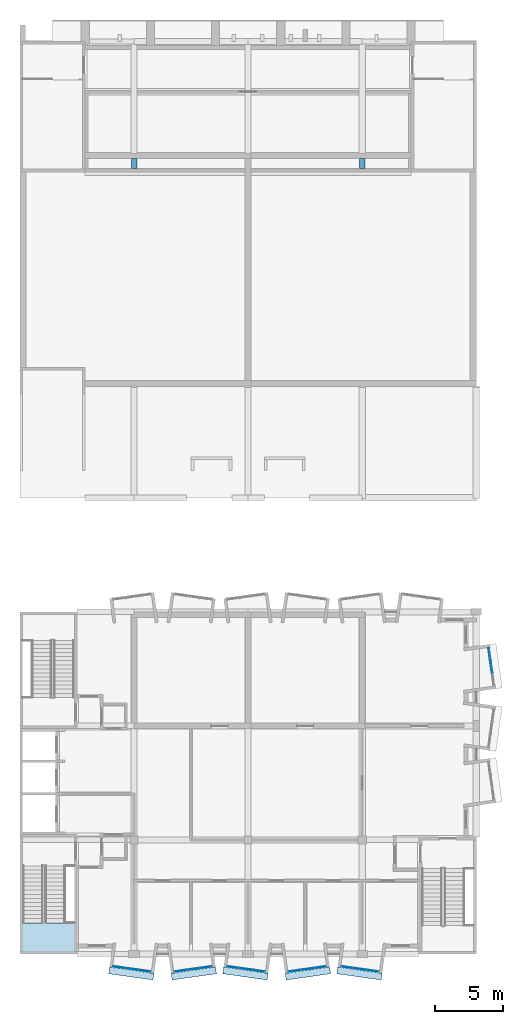
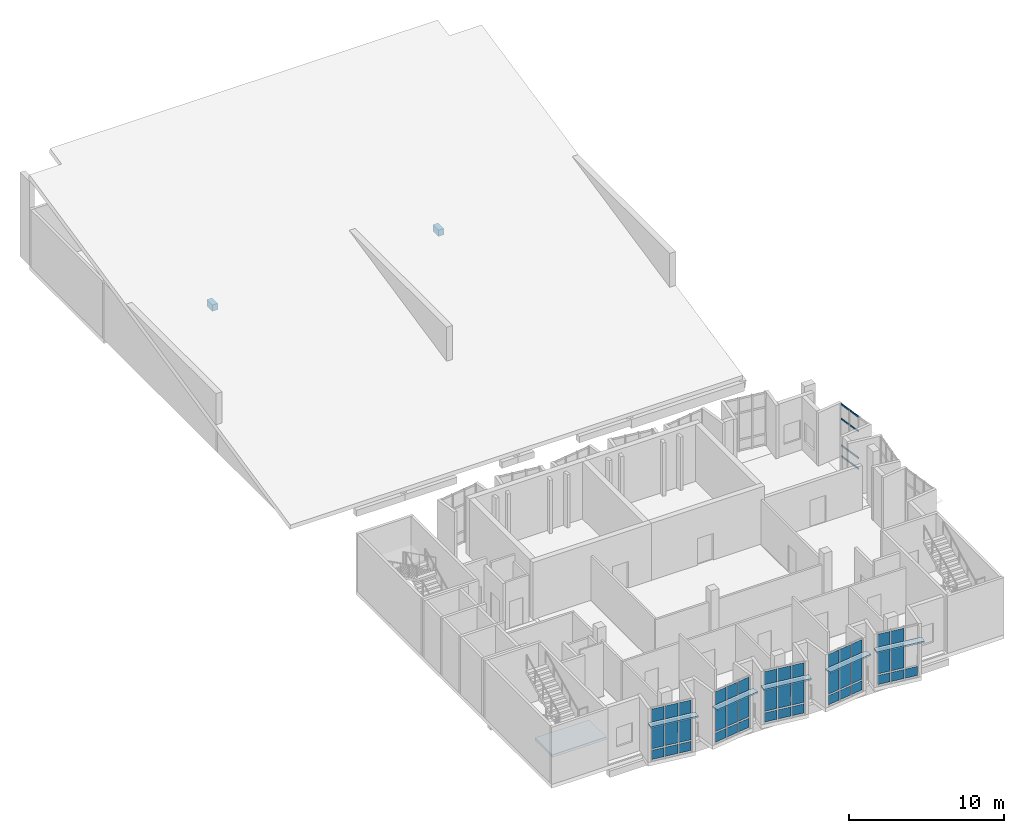
# One storey, part 8 of 19: 48 plates, 8 members, 2 beams, 1 slab, 7 elements without a shape of their own.
"""IFC4 building model written with IfcOpenShell, lengths in metres."""

from ifc_helpers import new_model, si_unit, direction, frame, origin, origin_2d, place, context, subcontext, project, spatial, polyline, rectangle, outline, extrude, material, layer, layer_set, material_profile, profile_set, type_object, element, aggregate, save


model = new_model("IFC4")

# Units and contexts
model_context = context("Model", 3, precision=1e-05, world=origin(), true_north=direction((0.0, 1.0)))
body_context = subcontext(model_context, "Body", "Model", "MODEL_VIEW")
ifc_project = project(units=[si_unit("LENGTHUNIT", "METRE"), si_unit("AREAUNIT", "SQUARE_METRE"), si_unit("VOLUMEUNIT", "CUBIC_METRE"), si_unit("PLANEANGLEUNIT", "RADIAN"), si_unit("MASSUNIT", "GRAM", prefix="KILO")], contexts=[model_context])

# Site, building, storey
site_placement = place(None, origin())
site = spatial("IfcSite", under=ifc_project, at=site_placement, CompositionType="ELEMENT")
building_placement = place(site_placement, origin())
building = spatial("IfcBuilding", under=site, at=building_placement, Name="Kiln Court Media Centre", CompositionType="ELEMENT")
storey_placement = place(building_placement, frame((0.0, 0.0, 29.10009765625)))
storey = spatial("IfcBuildingStorey", under=building, at=storey_placement, Name="L06", CompositionType="ELEMENT", Elevation=29.10009765625)

# Curtain wall, members
ifc_material_1 = material(Name="Aluminium 6063-T6", Category="aluminium")
ifc_layer_1 = layer(ifc_material_1, 0.1201171875)
ifc_layer_set_1 = layer_set([ifc_layer_1], Name="Aluminium unitised bay curtain wall")
curtain_wall_type = type_object("IfcCurtainWallType", Name="Aluminium unitised bay curtain wall", PredefinedType="USERDEFINED", material=ifc_layer_set_1)
curtain_wall_1_placement = place(storey_placement, origin())
curtain_wall_1 = element("IfcCurtainWall", 1, at=curtain_wall_1_placement, inside=storey, type_object=curtain_wall_type, Name="BAY V6A-E-L06-11 front", ObjectType="UNITISED CURTAIN WALL", PredefinedType="USERDEFINED")
ifc_material_2 = material(Name="Aluminium 6063-T6", Category="aluminium")
ifc_material_profile_1 = material_profile(ifc_material_2, rectangle(XDim=0.06005859375, YDim=0.1201171875, at=origin_2d()), Name="Aluminium transom 60x120")
ifc_profile_set_1 = profile_set([ifc_material_profile_1], Name="Aluminium 6063-T6")
member_type = type_object("IfcMemberType", Name="Aluminium transom 60x120", PredefinedType="USERDEFINED", material=ifc_profile_set_1)
member_1_placement = place(storey_placement, frame((34.771484375, 20.7119140625, 0.059814453125), z_axis=(-0.13913384707, 0.990273584723, 0.0), x_axis=(-0.990273584723, -0.13913384707, 0.0)))
member_1 = element("IfcMember", 2, at=member_1_placement, type_object=member_type, Name="CW6-03 transom 2.1", ObjectType="TRANSOM", PredefinedType="USERDEFINED", context=body_context, shape_type="SweptSolid", body=[
    extrude(rectangle(XDim=0.06005859375, YDim=0.1201171875, at=origin_2d()), origin(), (0.0, 0.0, 1.0), 0.896728515625),
])
member_2_placement = place(storey_placement, frame((34.771484375, 20.7119140625, 0.89990234375), z_axis=(-0.13913384707, 0.990273584723, 0.0), x_axis=(-0.990273584723, -0.13913384707, 0.0)))
member_2 = element("IfcMember", 3, at=member_2_placement, type_object=member_type, Name="CW6-03 transom 2.2", ObjectType="TRANSOM", PredefinedType="USERDEFINED", context=body_context, shape_type="SweptSolid", body=[
    extrude(rectangle(XDim=0.06005859375, YDim=0.1201171875, at=origin_2d()), origin(), (0.0, 0.0, 1.0), 0.896728515625),
])
member_3_placement = place(storey_placement, frame((34.771484375, 20.7119140625, 3.0), z_axis=(-0.13913384707, 0.990273584723, 0.0), x_axis=(-0.990273584723, -0.13913384707, 0.0)))
member_3 = element("IfcMember", 4, at=member_3_placement, type_object=member_type, Name="CW6-03 transom 2.3", ObjectType="TRANSOM", PredefinedType="USERDEFINED", context=body_context, shape_type="SweptSolid", body=[
    extrude(rectangle(XDim=0.06005859375, YDim=0.1201171875, at=origin_2d()), origin(), (0.0, 0.0, 1.0), 0.896728515625),
])
member_4_placement = place(storey_placement, frame((34.771484375, 20.7119140625, 4.139892578125), z_axis=(-0.13913384707, 0.990273584723, 0.0), x_axis=(-0.990273584723, -0.13913384707, 0.0)))
member_4 = element("IfcMember", 5, at=member_4_placement, type_object=member_type, Name="CW6-03 transom 2.4", ObjectType="TRANSOM", PredefinedType="USERDEFINED", context=body_context, shape_type="SweptSolid", body=[
    extrude(rectangle(XDim=0.06005859375, YDim=0.1201171875, at=origin_2d()), origin(), (0.0, 0.0, 1.0), 0.896728515625),
])
member_5_placement = place(storey_placement, frame((34.638427734375, 21.6591796875, 0.059814453125), z_axis=(-0.139133998951, 0.990273563383, 0.0), x_axis=(-0.990273563383, -0.139133998951, 0.0)))
member_5 = element("IfcMember", 6, at=member_5_placement, type_object=member_type, Name="CW6-03 transom 3.1", ObjectType="TRANSOM", PredefinedType="USERDEFINED", context=body_context, shape_type="SweptSolid", body=[
    extrude(rectangle(XDim=0.06005859375, YDim=0.1201171875, at=origin_2d()), origin(), (0.0, 0.0, 1.0), 0.866943359375),
])
member_6_placement = place(storey_placement, frame((34.638427734375, 21.6591796875, 0.89990234375), z_axis=(-0.139133998951, 0.990273563383, 0.0), x_axis=(-0.990273563383, -0.139133998951, 0.0)))
member_6 = element("IfcMember", 7, at=member_6_placement, type_object=member_type, Name="CW6-03 transom 3.2", ObjectType="TRANSOM", PredefinedType="USERDEFINED", context=body_context, shape_type="SweptSolid", body=[
    extrude(rectangle(XDim=0.06005859375, YDim=0.1201171875, at=origin_2d()), origin(), (0.0, 0.0, 1.0), 0.866943359375),
])
member_7_placement = place(storey_placement, frame((34.638427734375, 21.6591796875, 3.0), z_axis=(-0.139133998951, 0.990273563383, 0.0), x_axis=(-0.990273563383, -0.139133998951, 0.0)))
member_7 = element("IfcMember", 8, at=member_7_placement, type_object=member_type, Name="CW6-03 transom 3.3", ObjectType="TRANSOM", PredefinedType="USERDEFINED", context=body_context, shape_type="SweptSolid", body=[
    extrude(rectangle(XDim=0.06005859375, YDim=0.1201171875, at=origin_2d()), origin(), (0.0, 0.0, 1.0), 0.866943359375),
])
member_8_placement = place(storey_placement, frame((34.638427734375, 21.6591796875, 4.139892578125), z_axis=(-0.139133998951, 0.990273563383, 0.0), x_axis=(-0.990273563383, -0.139133998951, 0.0)))
member_8 = element("IfcMember", 9, at=member_8_placement, type_object=member_type, Name="CW6-03 transom 3.4", ObjectType="TRANSOM", PredefinedType="USERDEFINED", context=body_context, shape_type="SweptSolid", body=[
    extrude(rectangle(XDim=0.06005859375, YDim=0.1201171875, at=origin_2d()), origin(), (0.0, 0.0, 1.0), 0.866943359375),
])
aggregate(curtain_wall_1, [member_1, member_2, member_3, member_4, member_5, member_6, member_7, member_8])

# Beams
ifc_material_3 = material(Name="Concrete C30/37", Category="concrete")
ifc_material_profile_2 = material_profile(ifc_material_3, rectangle(XDim=0.39990234375, YDim=0.5, at=origin_2d()), Name="RC 400x500")
ifc_profile_set_2 = profile_set([ifc_material_profile_2], Name="Concrete C30/37")
beam_type = type_object("IfcBeamType", Name="Concrete C30/37 beam 400x500", PredefinedType="BEAM", material=ifc_profile_set_2)
for number, where, z_axis, x_axis, name in (
    (10, (8.39990234375, 57.85009765625, -0.550048828125), (0.0, 1.0, 0.0), (-1.0, 0.0, 0.0), "L06-B-1045"),
    (11, (25.199951171875, 57.85009765625, -0.550048828125), (0.0, 1.0, 0.0), (-1.0, 0.0, 0.0), "L06-B-1046"),
):
    element("IfcBeam", number, at=place(storey_placement, frame(where, z_axis=z_axis, x_axis=x_axis)), inside=storey, type_object=beam_type, Name=name, PredefinedType="BEAM", context=body_context, shape_type="SweptSolid", body=[
        extrude(rectangle(XDim=0.39990234375, YDim=0.5, at=origin_2d()), origin(), (0.0, 0.0, 1.0), 0.724853515625),
    ])

# Plates
ifc_material_4 = material(Name="Concrete C30/37", Category="concrete")
ifc_layer_2 = layer(ifc_material_4, 0.1201171875)
ifc_layer_set_2 = layer_set([ifc_layer_2], Name="Concrete C30/37 sunshade hood 120")
plate_type_1 = type_object("IfcPlateType", Name="Concrete C30/37 sunshade hood 120", PredefinedType="USERDEFINED", material=ifc_layer_set_2)
plate_1_placement = place(storey_placement, frame((0.0, 0.0, 3.0)))
element("IfcPlate", 12, at=plate_1_placement, inside=storey, type_object=plate_type_1, Name="SUNSHADE V6A-S-L06-40", ObjectType="SUNSHADE", PredefinedType="USERDEFINED", context=body_context, shape_type="SweptSolid", body=[
    extrude(outline(polyline([(6.59912109375, -0.958740234375), (9.866943359375, -1.41796875), (9.79736328125, -1.9130859375), (6.529541015625, -1.453857421875), (6.59912109375, -0.958740234375)])), origin(), (0.0, 0.0, 1.0), 0.119873046875),
])
plate_2_placement = place(storey_placement, frame((0.0, 0.0, 3.0)))
element("IfcPlate", 13, at=plate_2_placement, inside=storey, type_object=plate_type_1, Name="SUNSHADE V6A-S-L06-41", ObjectType="SUNSHADE", PredefinedType="USERDEFINED", context=body_context, shape_type="SweptSolid", body=[
    extrude(outline(polyline([(11.133056640625, -1.41796875), (14.40087890625, -0.958740234375), (14.470458984375, -1.453857421875), (11.20263671875, -1.9130859375), (11.133056640625, -1.41796875)])), origin(), (0.0, 0.0, 1.0), 0.119873046875),
])
plate_3_placement = place(storey_placement, frame((0.0, 0.0, 3.0)))
element("IfcPlate", 14, at=plate_3_placement, inside=storey, type_object=plate_type_1, Name="SUNSHADE V6A-S-L06-42", ObjectType="SUNSHADE", PredefinedType="USERDEFINED", context=body_context, shape_type="SweptSolid", body=[
    extrude(outline(polyline([(14.9990234375, -0.958740234375), (18.266845703125, -1.41796875), (18.197265625, -1.9130859375), (14.929443359375, -1.453857421875), (14.9990234375, -0.958740234375)])), origin(), (0.0, 0.0, 1.0), 0.119873046875),
])
plate_4_placement = place(storey_placement, frame((0.0, 0.0, 3.0)))
element("IfcPlate", 15, at=plate_4_placement, inside=storey, type_object=plate_type_1, Name="SUNSHADE V6A-S-L06-43", ObjectType="SUNSHADE", PredefinedType="USERDEFINED", context=body_context, shape_type="SweptSolid", body=[
    extrude(outline(polyline([(19.533203125, -1.41796875), (22.801025390625, -0.958740234375), (22.87060546875, -1.453857421875), (19.602783203125, -1.9130859375), (19.533203125, -1.41796875)])), origin(), (0.0, 0.0, 1.0), 0.119873046875),
])
plate_5_placement = place(storey_placement, frame((0.0, 0.0, 3.0)))
element("IfcPlate", 16, at=plate_5_placement, inside=storey, type_object=plate_type_1, Name="SUNSHADE V6A-S-L06-44", ObjectType="SUNSHADE", PredefinedType="USERDEFINED", context=body_context, shape_type="SweptSolid", body=[
    extrude(outline(polyline([(23.39892578125, -0.958740234375), (26.6669921875, -1.41796875), (26.597412109375, -1.9130859375), (23.32958984375, -1.453857421875), (23.39892578125, -0.958740234375)])), origin(), (0.0, 0.0, 1.0), 0.119873046875),
])

# Stair, slab
ifc_material_5 = material(Name="Concrete C40/50", Category="concrete")
stair_type = type_object("IfcStairType", Name="Concrete C40/50 dog-leg stair 1500 wide, 150 riser", PredefinedType="HALF_TURN_STAIR", material=ifc_material_5)
stair_placement = place(storey_placement, origin())
stair = element("IfcStair", 17, at=stair_placement, inside=storey, type_object=stair_type, Name="ST-01 L06", PredefinedType="HALF_TURN_STAIR")
ifc_material_6 = material(Name="Concrete C40/50", Category="concrete")
ifc_layer_3 = layer(ifc_material_6, 0.199951171875)
ifc_layer_set_3 = layer_set([ifc_layer_3], Name="Concrete C40/50 stair landing 200")
slab_type = type_object("IfcSlabType", Name="Concrete C40/50 stair landing 200", PredefinedType="LANDING", material=ifc_layer_set_3)
slab_placement = place(storey_placement, frame((0.0, 0.0, 2.0498046875)))
slab = element("IfcSlab", 18, at=slab_placement, type_object=slab_type, Name="L06-ST-5000 landing 5000", PredefinedType="LANDING", context=body_context, shape_type="SweptSolid", body=[
    extrude(outline(polyline([(0.080078125, 2.300048828125), (0.080078125, 0.080078125), (4.1201171875, 0.080078125), (4.1201171875, 2.300048828125), (0.080078125, 2.300048828125)])), origin(), (0.0, 0.0, 1.0), 0.2001953125),
])
aggregate(stair, [slab])

# Curtain wall, plates
curtain_wall_2_placement = place(storey_placement, origin())
curtain_wall_2 = element("IfcCurtainWall", 19, at=curtain_wall_2_placement, inside=storey, type_object=curtain_wall_type, Name="BAY V6A-S-L06-40 front", ObjectType="UNITISED CURTAIN WALL", PredefinedType="USERDEFINED")
ifc_material_7 = material(Name="Aluminium insulated spandrel", Category="aluminium")
ifc_layer_4 = layer(ifc_material_7, 0.028076171875)
ifc_layer_set_4 = layer_set([ifc_layer_4], Name="Insulated spandrel panel 28")
plate_type_2 = type_object("IfcPlateType", Name="Insulated spandrel panel 28", PredefinedType="CURTAIN_PANEL", material=ifc_layer_set_4)
plate_6_placement = place(storey_placement, frame((7.3115234375, -0.97802734375, 0.1201171875), z_axis=(0.0, 0.0, 1.0), x_axis=(0.990269562409, -0.139162472554, 0.0)))
plate_6 = element("IfcPlate", 20, at=plate_6_placement, type_object=plate_type_2, Name="CW6-10 panel 1.1", PredefinedType="CURTAIN_PANEL", context=body_context, shape_type="SweptSolid", body=[
    extrude(rectangle(XDim=0.86669921875, YDim=0.028076171875, at=origin_2d()), origin(), (0.0, 0.0, 1.0), 0.719970703125),
])
plate_7_placement = place(storey_placement, frame((8.244140625, -1.109130859375, 0.1201171875), z_axis=(0.0, 0.0, 1.0), x_axis=(0.990269562409, -0.139162472554, 0.0)))
plate_7 = element("IfcPlate", 21, at=plate_7_placement, type_object=plate_type_2, Name="CW6-10 panel 2.1", PredefinedType="CURTAIN_PANEL", context=body_context, shape_type="SweptSolid", body=[
    extrude(rectangle(XDim=0.896728515625, YDim=0.028076171875, at=origin_2d()), origin(), (0.0, 0.0, 1.0), 0.719970703125),
])
plate_8_placement = place(storey_placement, frame((9.1767578125, -1.240234375, 0.1201171875), z_axis=(0.0, 0.0, 1.0), x_axis=(0.990269562409, -0.139162472554, 0.0)))
plate_8 = element("IfcPlate", 22, at=plate_8_placement, type_object=plate_type_2, Name="CW6-10 panel 3.1", PredefinedType="CURTAIN_PANEL", context=body_context, shape_type="SweptSolid", body=[
    extrude(rectangle(XDim=0.86669921875, YDim=0.028076171875, at=origin_2d()), origin(), (0.0, 0.0, 1.0), 0.719970703125),
])

curtain_wall_3_placement = place(storey_placement, origin())
curtain_wall_3 = element("IfcCurtainWall", 23, at=curtain_wall_3_placement, inside=storey, type_object=curtain_wall_type, Name="BAY V6A-S-L06-41 front", ObjectType="UNITISED CURTAIN WALL", PredefinedType="USERDEFINED")
plate_9_placement = place(storey_placement, frame((11.8232421875, -1.240234375, 0.1201171875), z_axis=(0.0, 0.0, 1.0), x_axis=(0.990269562409, 0.139162472554, 0.0)))
plate_9 = element("IfcPlate", 24, at=plate_9_placement, type_object=plate_type_2, Name="CW6-11 panel 1.1", PredefinedType="CURTAIN_PANEL", context=body_context, shape_type="SweptSolid", body=[
    extrude(rectangle(XDim=0.86669921875, YDim=0.028076171875, at=origin_2d()), origin(), (0.0, 0.0, 1.0), 0.719970703125),
])
plate_10_placement = place(storey_placement, frame((12.755859375, -1.109130859375, 0.1201171875), z_axis=(0.0, 0.0, 1.0), x_axis=(0.990269562409, 0.139162472554, 0.0)))
plate_10 = element("IfcPlate", 25, at=plate_10_placement, type_object=plate_type_2, Name="CW6-11 panel 2.1", PredefinedType="CURTAIN_PANEL", context=body_context, shape_type="SweptSolid", body=[
    extrude(rectangle(XDim=0.896728515625, YDim=0.028076171875, at=origin_2d()), origin(), (0.0, 0.0, 1.0), 0.719970703125),
])
plate_11_placement = place(storey_placement, frame((13.6884765625, -0.97802734375, 0.1201171875), z_axis=(0.0, 0.0, 1.0), x_axis=(0.990269562409, 0.139162472554, 0.0)))
plate_11 = element("IfcPlate", 26, at=plate_11_placement, type_object=plate_type_2, Name="CW6-11 panel 3.1", PredefinedType="CURTAIN_PANEL", context=body_context, shape_type="SweptSolid", body=[
    extrude(rectangle(XDim=0.86669921875, YDim=0.028076171875, at=origin_2d()), origin(), (0.0, 0.0, 1.0), 0.719970703125),
])

curtain_wall_4_placement = place(storey_placement, origin())
curtain_wall_4 = element("IfcCurtainWall", 27, at=curtain_wall_4_placement, inside=storey, type_object=curtain_wall_type, Name="BAY V6A-S-L06-42 front", ObjectType="UNITISED CURTAIN WALL", PredefinedType="USERDEFINED")
plate_12_placement = place(storey_placement, frame((15.711669921875, -0.97802734375, 0.1201171875), z_axis=(0.0, 0.0, 1.0), x_axis=(0.990269562409, -0.139162472554, 0.0)))
plate_12 = element("IfcPlate", 28, at=plate_12_placement, type_object=plate_type_2, Name="CW6-12 panel 1.1", PredefinedType="CURTAIN_PANEL", context=body_context, shape_type="SweptSolid", body=[
    extrude(rectangle(XDim=0.86669921875, YDim=0.028076171875, at=origin_2d()), origin(), (0.0, 0.0, 1.0), 0.719970703125),
])
plate_13_placement = place(storey_placement, frame((16.64404296875, -1.109130859375, 0.1201171875), z_axis=(0.0, 0.0, 1.0), x_axis=(0.990269562409, -0.139162472554, 0.0)))
plate_13 = element("IfcPlate", 29, at=plate_13_placement, type_object=plate_type_2, Name="CW6-12 panel 2.1", PredefinedType="CURTAIN_PANEL", context=body_context, shape_type="SweptSolid", body=[
    extrude(rectangle(XDim=0.896728515625, YDim=0.028076171875, at=origin_2d()), origin(), (0.0, 0.0, 1.0), 0.719970703125),
])
plate_14_placement = place(storey_placement, frame((17.57666015625, -1.240234375, 0.1201171875), z_axis=(0.0, 0.0, 1.0), x_axis=(0.990269562409, -0.139162472554, 0.0)))
plate_14 = element("IfcPlate", 30, at=plate_14_placement, type_object=plate_type_2, Name="CW6-12 panel 3.1", PredefinedType="CURTAIN_PANEL", context=body_context, shape_type="SweptSolid", body=[
    extrude(rectangle(XDim=0.86669921875, YDim=0.028076171875, at=origin_2d()), origin(), (0.0, 0.0, 1.0), 0.719970703125),
])

curtain_wall_5_placement = place(storey_placement, origin())
curtain_wall_5 = element("IfcCurtainWall", 31, at=curtain_wall_5_placement, inside=storey, type_object=curtain_wall_type, Name="BAY V6A-S-L06-43 front", ObjectType="UNITISED CURTAIN WALL", PredefinedType="USERDEFINED")
plate_15_placement = place(storey_placement, frame((20.223388671875, -1.240234375, 0.1201171875), z_axis=(0.0, 0.0, 1.0), x_axis=(0.990269562409, 0.139162472554, 0.0)))
plate_15 = element("IfcPlate", 32, at=plate_15_placement, type_object=plate_type_2, Name="CW6-13 panel 1.1", PredefinedType="CURTAIN_PANEL", context=body_context, shape_type="SweptSolid", body=[
    extrude(rectangle(XDim=0.86669921875, YDim=0.028076171875, at=origin_2d()), origin(), (0.0, 0.0, 1.0), 0.719970703125),
])
plate_16_placement = place(storey_placement, frame((21.15576171875, -1.109130859375, 0.1201171875), z_axis=(0.0, 0.0, 1.0), x_axis=(0.990269562409, 0.139162472554, 0.0)))
plate_16 = element("IfcPlate", 33, at=plate_16_placement, type_object=plate_type_2, Name="CW6-13 panel 2.1", PredefinedType="CURTAIN_PANEL", context=body_context, shape_type="SweptSolid", body=[
    extrude(rectangle(XDim=0.896728515625, YDim=0.028076171875, at=origin_2d()), origin(), (0.0, 0.0, 1.0), 0.719970703125),
])
plate_17_placement = place(storey_placement, frame((22.08837890625, -0.97802734375, 0.1201171875), z_axis=(0.0, 0.0, 1.0), x_axis=(0.990269562409, 0.139162472554, 0.0)))
plate_17 = element("IfcPlate", 34, at=plate_17_placement, type_object=plate_type_2, Name="CW6-13 panel 3.1", PredefinedType="CURTAIN_PANEL", context=body_context, shape_type="SweptSolid", body=[
    extrude(rectangle(XDim=0.86669921875, YDim=0.028076171875, at=origin_2d()), origin(), (0.0, 0.0, 1.0), 0.719970703125),
])

curtain_wall_6_placement = place(storey_placement, origin())
curtain_wall_6 = element("IfcCurtainWall", 35, at=curtain_wall_6_placement, inside=storey, type_object=curtain_wall_type, Name="BAY V6A-S-L06-44 front", ObjectType="UNITISED CURTAIN WALL", PredefinedType="USERDEFINED")
plate_18_placement = place(storey_placement, frame((24.111572265625, -0.97802734375, 0.1201171875), z_axis=(0.0, 0.0, 1.0), x_axis=(0.990269562409, -0.139162472554, 0.0)))
plate_18 = element("IfcPlate", 36, at=plate_18_placement, type_object=plate_type_2, Name="CW6-14 panel 1.1", PredefinedType="CURTAIN_PANEL", context=body_context, shape_type="SweptSolid", body=[
    extrude(rectangle(XDim=0.86669921875, YDim=0.028076171875, at=origin_2d()), origin(), (0.0, 0.0, 1.0), 0.719970703125),
])
plate_19_placement = place(storey_placement, frame((25.044189453125, -1.109130859375, 0.1201171875), z_axis=(0.0, 0.0, 1.0), x_axis=(0.990269562409, -0.139162472554, 0.0)))
plate_19 = element("IfcPlate", 37, at=plate_19_placement, type_object=plate_type_2, Name="CW6-14 panel 2.1", PredefinedType="CURTAIN_PANEL", context=body_context, shape_type="SweptSolid", body=[
    extrude(rectangle(XDim=0.896728515625, YDim=0.028076171875, at=origin_2d()), origin(), (0.0, 0.0, 1.0), 0.719970703125),
])
plate_20_placement = place(storey_placement, frame((25.9765625, -1.240234375, 0.1201171875), z_axis=(0.0, 0.0, 1.0), x_axis=(0.990269562409, -0.139162472554, 0.0)))
plate_20 = element("IfcPlate", 38, at=plate_20_placement, type_object=plate_type_2, Name="CW6-14 panel 3.1", PredefinedType="CURTAIN_PANEL", context=body_context, shape_type="SweptSolid", body=[
    extrude(rectangle(XDim=0.86669921875, YDim=0.028076171875, at=origin_2d()), origin(), (0.0, 0.0, 1.0), 0.719970703125),
])

# Plate
ifc_material_8 = material(Name="Low-E double glazing", Category="glass")
ifc_layer_5 = layer(ifc_material_8, 0.028076171875)
ifc_layer_set_5 = layer_set([ifc_layer_5], Name="Low-E double glazed panel 28")
plate_type_3 = type_object("IfcPlateType", Name="Low-E double glazed panel 28", PredefinedType="CURTAIN_PANEL", material=ifc_layer_set_5)
plate_21_placement = place(storey_placement, frame((7.3115234375, -0.97802734375, 0.9599609375), z_axis=(0.0, 0.0, 1.0), x_axis=(0.990269562409, -0.139162472554, 0.0)))
plate_21 = element("IfcPlate", 39, at=plate_21_placement, type_object=plate_type_3, Name="CW6-10 panel 1.2", PredefinedType="CURTAIN_PANEL", context=body_context, shape_type="SweptSolid", body=[
    extrude(rectangle(XDim=0.86669921875, YDim=0.028076171875, at=origin_2d()), origin(), (0.0, 0.0, 1.0), 1.97998046875),
])

plate_22_placement = place(storey_placement, frame((7.3115234375, -0.97802734375, 3.059814453125), z_axis=(0.0, 0.0, 1.0), x_axis=(0.990269562409, -0.139162472554, 0.0)))
plate_22 = element("IfcPlate", 40, at=plate_22_placement, type_object=plate_type_3, Name="CW6-10 panel 1.3", PredefinedType="CURTAIN_PANEL", context=body_context, shape_type="SweptSolid", body=[
    extrude(rectangle(XDim=0.86669921875, YDim=0.028076171875, at=origin_2d()), origin(), (0.0, 0.0, 1.0), 1.02001953125),
])

plate_23_placement = place(storey_placement, frame((8.244140625, -1.109130859375, 0.9599609375), z_axis=(0.0, 0.0, 1.0), x_axis=(0.990269562409, -0.139162472554, 0.0)))
plate_23 = element("IfcPlate", 41, at=plate_23_placement, type_object=plate_type_3, Name="CW6-10 panel 2.2", PredefinedType="CURTAIN_PANEL", context=body_context, shape_type="SweptSolid", body=[
    extrude(rectangle(XDim=0.896728515625, YDim=0.028076171875, at=origin_2d()), origin(), (0.0, 0.0, 1.0), 1.97998046875),
])

plate_24_placement = place(storey_placement, frame((8.244140625, -1.109130859375, 3.059814453125), z_axis=(0.0, 0.0, 1.0), x_axis=(0.990269562409, -0.139162472554, 0.0)))
plate_24 = element("IfcPlate", 42, at=plate_24_placement, type_object=plate_type_3, Name="CW6-10 panel 2.3", PredefinedType="CURTAIN_PANEL", context=body_context, shape_type="SweptSolid", body=[
    extrude(rectangle(XDim=0.896728515625, YDim=0.028076171875, at=origin_2d()), origin(), (0.0, 0.0, 1.0), 1.02001953125),
])

plate_25_placement = place(storey_placement, frame((9.1767578125, -1.240234375, 0.9599609375), z_axis=(0.0, 0.0, 1.0), x_axis=(0.990269562409, -0.139162472554, 0.0)))
plate_25 = element("IfcPlate", 43, at=plate_25_placement, type_object=plate_type_3, Name="CW6-10 panel 3.2", PredefinedType="CURTAIN_PANEL", context=body_context, shape_type="SweptSolid", body=[
    extrude(rectangle(XDim=0.86669921875, YDim=0.028076171875, at=origin_2d()), origin(), (0.0, 0.0, 1.0), 1.97998046875),
])

plate_26_placement = place(storey_placement, frame((9.1767578125, -1.240234375, 3.059814453125), z_axis=(0.0, 0.0, 1.0), x_axis=(0.990269562409, -0.139162472554, 0.0)))
plate_26 = element("IfcPlate", 44, at=plate_26_placement, type_object=plate_type_3, Name="CW6-10 panel 3.3", PredefinedType="CURTAIN_PANEL", context=body_context, shape_type="SweptSolid", body=[
    extrude(rectangle(XDim=0.86669921875, YDim=0.028076171875, at=origin_2d()), origin(), (0.0, 0.0, 1.0), 1.02001953125),
])

aggregate(curtain_wall_2, [plate_6, plate_21, plate_22, plate_7, plate_23, plate_24, plate_8, plate_25, plate_26])

plate_27_placement = place(storey_placement, frame((11.8232421875, -1.240234375, 0.9599609375), z_axis=(0.0, 0.0, 1.0), x_axis=(0.990269562409, 0.139162472554, 0.0)))
plate_27 = element("IfcPlate", 45, at=plate_27_placement, type_object=plate_type_3, Name="CW6-11 panel 1.2", PredefinedType="CURTAIN_PANEL", context=body_context, shape_type="SweptSolid", body=[
    extrude(rectangle(XDim=0.86669921875, YDim=0.028076171875, at=origin_2d()), origin(), (0.0, 0.0, 1.0), 1.97998046875),
])

plate_28_placement = place(storey_placement, frame((11.8232421875, -1.240234375, 3.059814453125), z_axis=(0.0, 0.0, 1.0), x_axis=(0.990269562409, 0.139162472554, 0.0)))
plate_28 = element("IfcPlate", 46, at=plate_28_placement, type_object=plate_type_3, Name="CW6-11 panel 1.3", PredefinedType="CURTAIN_PANEL", context=body_context, shape_type="SweptSolid", body=[
    extrude(rectangle(XDim=0.86669921875, YDim=0.028076171875, at=origin_2d()), origin(), (0.0, 0.0, 1.0), 1.02001953125),
])

plate_29_placement = place(storey_placement, frame((12.755859375, -1.109130859375, 0.9599609375), z_axis=(0.0, 0.0, 1.0), x_axis=(0.990269562409, 0.139162472554, 0.0)))
plate_29 = element("IfcPlate", 47, at=plate_29_placement, type_object=plate_type_3, Name="CW6-11 panel 2.2", PredefinedType="CURTAIN_PANEL", context=body_context, shape_type="SweptSolid", body=[
    extrude(rectangle(XDim=0.896728515625, YDim=0.028076171875, at=origin_2d()), origin(), (0.0, 0.0, 1.0), 1.97998046875),
])

plate_30_placement = place(storey_placement, frame((12.755859375, -1.109130859375, 3.059814453125), z_axis=(0.0, 0.0, 1.0), x_axis=(0.990269562409, 0.139162472554, 0.0)))
plate_30 = element("IfcPlate", 48, at=plate_30_placement, type_object=plate_type_3, Name="CW6-11 panel 2.3", PredefinedType="CURTAIN_PANEL", context=body_context, shape_type="SweptSolid", body=[
    extrude(rectangle(XDim=0.896728515625, YDim=0.028076171875, at=origin_2d()), origin(), (0.0, 0.0, 1.0), 1.02001953125),
])

plate_31_placement = place(storey_placement, frame((13.6884765625, -0.97802734375, 0.9599609375), z_axis=(0.0, 0.0, 1.0), x_axis=(0.990269562409, 0.139162472554, 0.0)))
plate_31 = element("IfcPlate", 49, at=plate_31_placement, type_object=plate_type_3, Name="CW6-11 panel 3.2", PredefinedType="CURTAIN_PANEL", context=body_context, shape_type="SweptSolid", body=[
    extrude(rectangle(XDim=0.86669921875, YDim=0.028076171875, at=origin_2d()), origin(), (0.0, 0.0, 1.0), 1.97998046875),
])

plate_32_placement = place(storey_placement, frame((13.6884765625, -0.97802734375, 3.059814453125), z_axis=(0.0, 0.0, 1.0), x_axis=(0.990269562409, 0.139162472554, 0.0)))
plate_32 = element("IfcPlate", 50, at=plate_32_placement, type_object=plate_type_3, Name="CW6-11 panel 3.3", PredefinedType="CURTAIN_PANEL", context=body_context, shape_type="SweptSolid", body=[
    extrude(rectangle(XDim=0.86669921875, YDim=0.028076171875, at=origin_2d()), origin(), (0.0, 0.0, 1.0), 1.02001953125),
])

aggregate(curtain_wall_3, [plate_9, plate_27, plate_28, plate_10, plate_29, plate_30, plate_11, plate_31, plate_32])

plate_33_placement = place(storey_placement, frame((15.711669921875, -0.97802734375, 0.9599609375), z_axis=(0.0, 0.0, 1.0), x_axis=(0.990269562409, -0.139162472554, 0.0)))
plate_33 = element("IfcPlate", 51, at=plate_33_placement, type_object=plate_type_3, Name="CW6-12 panel 1.2", PredefinedType="CURTAIN_PANEL", context=body_context, shape_type="SweptSolid", body=[
    extrude(rectangle(XDim=0.86669921875, YDim=0.028076171875, at=origin_2d()), origin(), (0.0, 0.0, 1.0), 1.97998046875),
])

plate_34_placement = place(storey_placement, frame((15.711669921875, -0.97802734375, 3.059814453125), z_axis=(0.0, 0.0, 1.0), x_axis=(0.990269562409, -0.139162472554, 0.0)))
plate_34 = element("IfcPlate", 52, at=plate_34_placement, type_object=plate_type_3, Name="CW6-12 panel 1.3", PredefinedType="CURTAIN_PANEL", context=body_context, shape_type="SweptSolid", body=[
    extrude(rectangle(XDim=0.86669921875, YDim=0.028076171875, at=origin_2d()), origin(), (0.0, 0.0, 1.0), 1.02001953125),
])

plate_35_placement = place(storey_placement, frame((16.64404296875, -1.109130859375, 0.9599609375), z_axis=(0.0, 0.0, 1.0), x_axis=(0.990269562409, -0.139162472554, 0.0)))
plate_35 = element("IfcPlate", 53, at=plate_35_placement, type_object=plate_type_3, Name="CW6-12 panel 2.2", PredefinedType="CURTAIN_PANEL", context=body_context, shape_type="SweptSolid", body=[
    extrude(rectangle(XDim=0.896728515625, YDim=0.028076171875, at=origin_2d()), origin(), (0.0, 0.0, 1.0), 1.97998046875),
])

plate_36_placement = place(storey_placement, frame((16.64404296875, -1.109130859375, 3.059814453125), z_axis=(0.0, 0.0, 1.0), x_axis=(0.990269562409, -0.139162472554, 0.0)))
plate_36 = element("IfcPlate", 54, at=plate_36_placement, type_object=plate_type_3, Name="CW6-12 panel 2.3", PredefinedType="CURTAIN_PANEL", context=body_context, shape_type="SweptSolid", body=[
    extrude(rectangle(XDim=0.896728515625, YDim=0.028076171875, at=origin_2d()), origin(), (0.0, 0.0, 1.0), 1.02001953125),
])

plate_37_placement = place(storey_placement, frame((17.57666015625, -1.240234375, 0.9599609375), z_axis=(0.0, 0.0, 1.0), x_axis=(0.990269562409, -0.139162472554, 0.0)))
plate_37 = element("IfcPlate", 55, at=plate_37_placement, type_object=plate_type_3, Name="CW6-12 panel 3.2", PredefinedType="CURTAIN_PANEL", context=body_context, shape_type="SweptSolid", body=[
    extrude(rectangle(XDim=0.86669921875, YDim=0.028076171875, at=origin_2d()), origin(), (0.0, 0.0, 1.0), 1.97998046875),
])

plate_38_placement = place(storey_placement, frame((17.57666015625, -1.240234375, 3.059814453125), z_axis=(0.0, 0.0, 1.0), x_axis=(0.990269562409, -0.139162472554, 0.0)))
plate_38 = element("IfcPlate", 56, at=plate_38_placement, type_object=plate_type_3, Name="CW6-12 panel 3.3", PredefinedType="CURTAIN_PANEL", context=body_context, shape_type="SweptSolid", body=[
    extrude(rectangle(XDim=0.86669921875, YDim=0.028076171875, at=origin_2d()), origin(), (0.0, 0.0, 1.0), 1.02001953125),
])

aggregate(curtain_wall_4, [plate_12, plate_33, plate_34, plate_13, plate_35, plate_36, plate_14, plate_37, plate_38])

plate_39_placement = place(storey_placement, frame((20.223388671875, -1.240234375, 0.9599609375), z_axis=(0.0, 0.0, 1.0), x_axis=(0.990269562409, 0.139162472554, 0.0)))
plate_39 = element("IfcPlate", 57, at=plate_39_placement, type_object=plate_type_3, Name="CW6-13 panel 1.2", PredefinedType="CURTAIN_PANEL", context=body_context, shape_type="SweptSolid", body=[
    extrude(rectangle(XDim=0.86669921875, YDim=0.028076171875, at=origin_2d()), origin(), (0.0, 0.0, 1.0), 1.97998046875),
])

plate_40_placement = place(storey_placement, frame((20.223388671875, -1.240234375, 3.059814453125), z_axis=(0.0, 0.0, 1.0), x_axis=(0.990269562409, 0.139162472554, 0.0)))
plate_40 = element("IfcPlate", 58, at=plate_40_placement, type_object=plate_type_3, Name="CW6-13 panel 1.3", PredefinedType="CURTAIN_PANEL", context=body_context, shape_type="SweptSolid", body=[
    extrude(rectangle(XDim=0.86669921875, YDim=0.028076171875, at=origin_2d()), origin(), (0.0, 0.0, 1.0), 1.02001953125),
])

plate_41_placement = place(storey_placement, frame((21.15576171875, -1.109130859375, 0.9599609375), z_axis=(0.0, 0.0, 1.0), x_axis=(0.990269562409, 0.139162472554, 0.0)))
plate_41 = element("IfcPlate", 59, at=plate_41_placement, type_object=plate_type_3, Name="CW6-13 panel 2.2", PredefinedType="CURTAIN_PANEL", context=body_context, shape_type="SweptSolid", body=[
    extrude(rectangle(XDim=0.896728515625, YDim=0.028076171875, at=origin_2d()), origin(), (0.0, 0.0, 1.0), 1.97998046875),
])

plate_42_placement = place(storey_placement, frame((21.15576171875, -1.109130859375, 3.059814453125), z_axis=(0.0, 0.0, 1.0), x_axis=(0.990269562409, 0.139162472554, 0.0)))
plate_42 = element("IfcPlate", 60, at=plate_42_placement, type_object=plate_type_3, Name="CW6-13 panel 2.3", PredefinedType="CURTAIN_PANEL", context=body_context, shape_type="SweptSolid", body=[
    extrude(rectangle(XDim=0.896728515625, YDim=0.028076171875, at=origin_2d()), origin(), (0.0, 0.0, 1.0), 1.02001953125),
])

plate_43_placement = place(storey_placement, frame((22.08837890625, -0.97802734375, 0.9599609375), z_axis=(0.0, 0.0, 1.0), x_axis=(0.990269562409, 0.139162472554, 0.0)))
plate_43 = element("IfcPlate", 61, at=plate_43_placement, type_object=plate_type_3, Name="CW6-13 panel 3.2", PredefinedType="CURTAIN_PANEL", context=body_context, shape_type="SweptSolid", body=[
    extrude(rectangle(XDim=0.86669921875, YDim=0.028076171875, at=origin_2d()), origin(), (0.0, 0.0, 1.0), 1.97998046875),
])

plate_44_placement = place(storey_placement, frame((22.08837890625, -0.97802734375, 3.059814453125), z_axis=(0.0, 0.0, 1.0), x_axis=(0.990269562409, 0.139162472554, 0.0)))
plate_44 = element("IfcPlate", 62, at=plate_44_placement, type_object=plate_type_3, Name="CW6-13 panel 3.3", PredefinedType="CURTAIN_PANEL", context=body_context, shape_type="SweptSolid", body=[
    extrude(rectangle(XDim=0.86669921875, YDim=0.028076171875, at=origin_2d()), origin(), (0.0, 0.0, 1.0), 1.02001953125),
])

aggregate(curtain_wall_5, [plate_15, plate_39, plate_40, plate_16, plate_41, plate_42, plate_17, plate_43, plate_44])

plate_45_placement = place(storey_placement, frame((24.111572265625, -0.97802734375, 0.9599609375), z_axis=(0.0, 0.0, 1.0), x_axis=(0.990269562409, -0.139162472554, 0.0)))
plate_45 = element("IfcPlate", 63, at=plate_45_placement, type_object=plate_type_3, Name="CW6-14 panel 1.2", PredefinedType="CURTAIN_PANEL", context=body_context, shape_type="SweptSolid", body=[
    extrude(rectangle(XDim=0.86669921875, YDim=0.028076171875, at=origin_2d()), origin(), (0.0, 0.0, 1.0), 1.97998046875),
])

plate_46_placement = place(storey_placement, frame((24.111572265625, -0.97802734375, 3.059814453125), z_axis=(0.0, 0.0, 1.0), x_axis=(0.990269562409, -0.139162472554, 0.0)))
plate_46 = element("IfcPlate", 64, at=plate_46_placement, type_object=plate_type_3, Name="CW6-14 panel 1.3", PredefinedType="CURTAIN_PANEL", context=body_context, shape_type="SweptSolid", body=[
    extrude(rectangle(XDim=0.86669921875, YDim=0.028076171875, at=origin_2d()), origin(), (0.0, 0.0, 1.0), 1.02001953125),
])

plate_47_placement = place(storey_placement, frame((25.044189453125, -1.109130859375, 0.9599609375), z_axis=(0.0, 0.0, 1.0), x_axis=(0.990269562409, -0.139162472554, 0.0)))
plate_47 = element("IfcPlate", 65, at=plate_47_placement, type_object=plate_type_3, Name="CW6-14 panel 2.2", PredefinedType="CURTAIN_PANEL", context=body_context, shape_type="SweptSolid", body=[
    extrude(rectangle(XDim=0.896728515625, YDim=0.028076171875, at=origin_2d()), origin(), (0.0, 0.0, 1.0), 1.97998046875),
])

plate_48_placement = place(storey_placement, frame((25.044189453125, -1.109130859375, 3.059814453125), z_axis=(0.0, 0.0, 1.0), x_axis=(0.990269562409, -0.139162472554, 0.0)))
plate_48 = element("IfcPlate", 66, at=plate_48_placement, type_object=plate_type_3, Name="CW6-14 panel 2.3", PredefinedType="CURTAIN_PANEL", context=body_context, shape_type="SweptSolid", body=[
    extrude(rectangle(XDim=0.896728515625, YDim=0.028076171875, at=origin_2d()), origin(), (0.0, 0.0, 1.0), 1.02001953125),
])

aggregate(curtain_wall_6, [plate_18, plate_45, plate_46, plate_19, plate_47, plate_48, plate_20])

save(model, "model.ifc")
